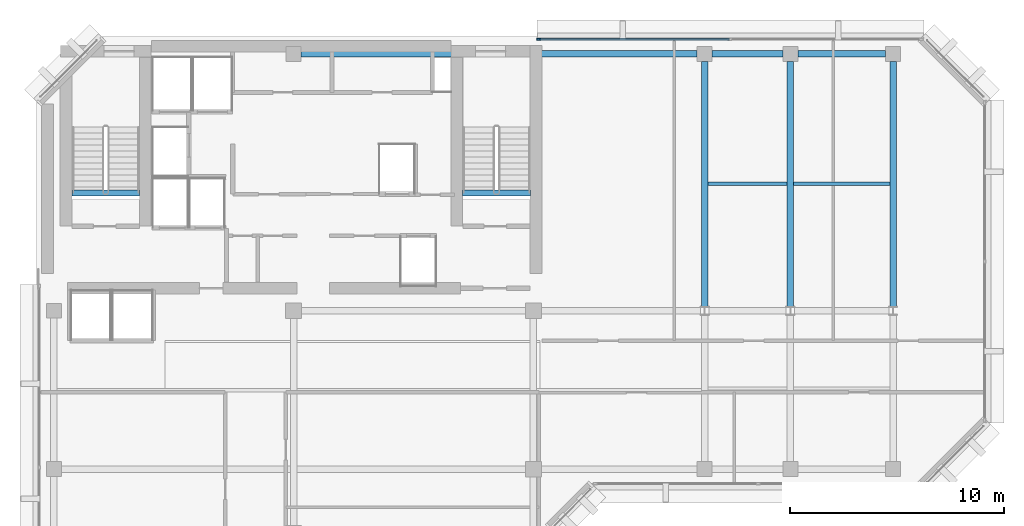
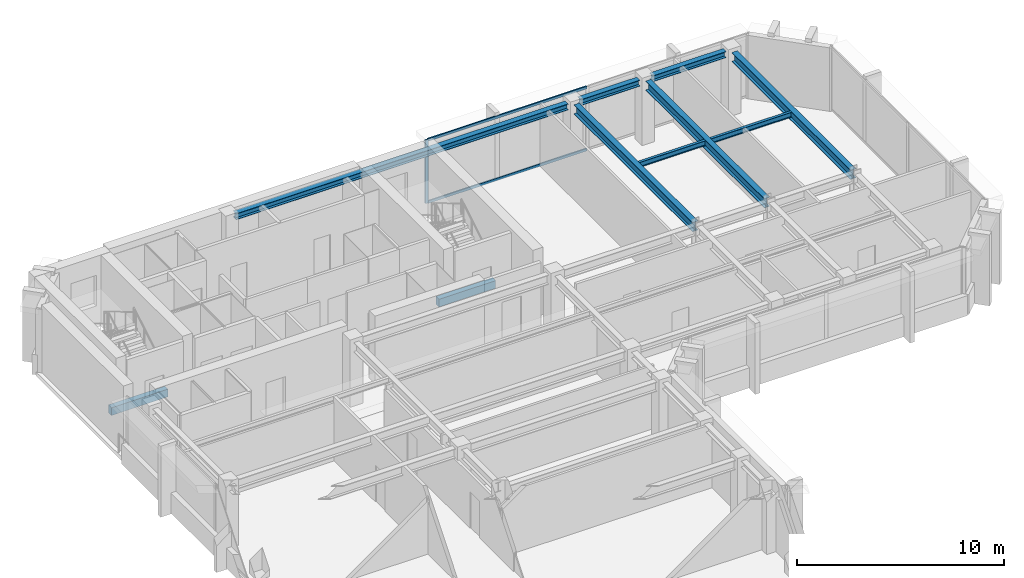
# One storey, part 4 of 11: 10 beams, 3 members, 1 element without a shape of its own.
"""IFC4 building model written with IfcOpenShell, lengths in metres."""

import ifcopenshell
import ifcopenshell.guid

model = None  # the IFC model being written
_history = None  # IfcOwnerHistory: only IFC2X3 demands one
_inside = {}  # id of a spatial element -> (the spatial element, [elements in it])
_under = {}  # id of a project, library or spatial element -> (it, [spatial elements below it])
_declared = {}  # id of a project -> (the project, [libraries it declares])
_typed = {}  # id of a type object -> (the type object, [elements of that type])
_made_of = {}  # id of a material, layer set ... -> (it, [elements and type objects made of it])


def new_model(schema):
    """Start an empty IFC model of exactly this schema.

    Asked for "IFC4X3", IfcOpenShell would pick the latest addendum, in which some entities
    have other attributes; the version numbers below select the first issue.
    IFC2X3 requires an IfcOwnerHistory on every rooted entity: one is made here for all.
    """
    global model, _history
    if schema == "IFC4X3":
        model = ifcopenshell.file(schema_version=(4, 3, 0, 0))
    else:
        model = ifcopenshell.file(schema=schema)
    _inside.clear()
    _under.clear()
    _declared.clear()
    _typed.clear()
    _made_of.clear()
    _history = None
    if model.schema == "IFC2X3":
        org = make("IfcOrganization", Name="unknown")
        user = make(
            "IfcPersonAndOrganization",
            ThePerson=make("IfcPerson", FamilyName="unknown"),
            TheOrganization=org,
        )
        app = make(
            "IfcApplication",
            ApplicationDeveloper=org,
            Version="unknown",
            ApplicationFullName="unknown",
            ApplicationIdentifier="unknown",
        )
        _history = make(
            "IfcOwnerHistory",
            OwningUser=user,
            OwningApplication=app,
            ChangeAction="ADDED",
            CreationDate=0,
        )
    return model


def make(cls, **values):
    """One entity of the class cls with the attributes given. An attribute that is None is left unset."""
    return model.create_entity(
        cls, **{name: value for name, value in values.items() if value is not None}
    )


def rooted(cls, **values):
    """An entity with a GlobalId (a new one), such as an element, a storey or a relation."""
    return make(cls, GlobalId=ifcopenshell.guid.new(), OwnerHistory=_history, **values)


def si_unit(unit_type, name, prefix=None):
    """IfcSIUnit, for example si_unit("LENGTHUNIT", "METRE", prefix="MILLI")."""
    return make("IfcSIUnit", UnitType=unit_type, Prefix=prefix, Name=name)


def assignment(units):
    """IfcUnitAssignment: the units of a project."""
    return None if units is None else make("IfcUnitAssignment", Units=units)


def point(xyz):
    """IfcCartesianPoint."""
    return None if xyz is None else make("IfcCartesianPoint", Coordinates=xyz)


def direction(xyz):
    """IfcDirection."""
    return None if xyz is None else make("IfcDirection", DirectionRatios=xyz)


def frame(location, z_axis=None, x_axis=None):
    """IfcAxis2Placement3D, a coordinate frame: its origin and axes. An axis left out is left unset."""
    return make(
        "IfcAxis2Placement3D",
        Location=point(location),
        Axis=direction(z_axis),
        RefDirection=direction(x_axis),
    )


def frame_2d(location, x_axis=None):
    """IfcAxis2Placement2D, a coordinate frame in the plane: its origin and x axis."""
    return make(
        "IfcAxis2Placement2D", Location=point(location), RefDirection=direction(x_axis)
    )


def origin():
    """The frame at (0, 0, 0) with its axes left unset."""
    return frame((0.0, 0.0, 0.0))


def origin_2d():
    """The frame at (0, 0) in the plane with its x axis left unset."""
    return frame_2d((0.0, 0.0))


def place(relative_to, where):
    """IfcLocalPlacement: puts the frame where relative to a parent placement (None: the world)."""
    return make(
        "IfcLocalPlacement", PlacementRelTo=relative_to, RelativePlacement=where
    )


def context(
    kind, dimensions, precision=None, world=None, true_north=None, identifier=None
):
    """IfcGeometricRepresentationContext, for example the 3D "Model" context."""
    return make(
        "IfcGeometricRepresentationContext",
        ContextIdentifier=identifier,
        ContextType=kind,
        CoordinateSpaceDimension=dimensions,
        Precision=precision,
        WorldCoordinateSystem=world,
        TrueNorth=true_north,
    )


def subcontext(parent, identifier, kind, view, scale=None):
    """IfcGeometricRepresentationSubContext, for example "Body" below "Model"."""
    return make(
        "IfcGeometricRepresentationSubContext",
        ContextIdentifier=identifier,
        ContextType=kind,
        ParentContext=parent,
        TargetScale=scale,
        TargetView=view,
    )


def project(units=None, contexts=None):
    """IfcProject with its units and contexts."""
    return rooted(
        "IfcProject",
        Name="project",
        RepresentationContexts=contexts,
        UnitsInContext=assignment(units),
    )


def spatial(cls, under=None, at=None, **own):
    """A site, building, storey or space (cls), placed at a placement, below another one or the project."""
    s = rooted(cls, ObjectPlacement=at, **own)
    if under is not None:
        _under.setdefault(under.id(), (under, []))[1].append(s)
    return s


def profile(cls, at=None, kind="AREA", **sizes):
    """A parametric profile (cls). Its sizes go by their IFC names, for example OverallWidth=200.0."""
    return make(cls, ProfileType=kind, Position=at, **sizes)


def rectangle(**sizes):
    """IfcRectangleProfileDef."""
    return profile("IfcRectangleProfileDef", **sizes)


def i_section(**sizes):
    """IfcIShapeProfileDef."""
    return profile("IfcIShapeProfileDef", **sizes)


def extrude(swept, where, along, depth):
    """IfcExtrudedAreaSolid: the profile swept, set in the frame where, extruded along a direction by depth."""
    return make(
        "IfcExtrudedAreaSolid",
        SweptArea=swept,
        Position=where,
        ExtrudedDirection=direction(along),
        Depth=depth,
    )


def shape(context_of_items, identifier, shape_type, items):
    """IfcShapeRepresentation: the items that make up one representation, for example the "Body"."""
    return make(
        "IfcShapeRepresentation",
        ContextOfItems=context_of_items,
        RepresentationIdentifier=identifier,
        RepresentationType=shape_type,
        Items=items,
    )


def material(Name=None, Category=None):
    """IfcMaterial."""
    return make("IfcMaterial", Name=Name, Category=Category)


def layer(
    of_material, thickness, ventilated=None, Name=None, Category=None, Priority=None
):
    """IfcMaterialLayer: one layer of a wall or slab, of a material (None: an air gap)."""
    return make(
        "IfcMaterialLayer",
        Material=of_material,
        LayerThickness=thickness,
        IsVentilated=ventilated,
        Name=Name,
        Category=Category,
        Priority=Priority,
    )


def layer_set(layers, Name=None):
    """IfcMaterialLayerSet."""
    return make("IfcMaterialLayerSet", MaterialLayers=layers, LayerSetName=Name)


def material_profile(
    of_material, cross_section, Name=None, Category=None, Priority=None
):
    """IfcMaterialProfile: a cross section and its material."""
    return make(
        "IfcMaterialProfile",
        Name=Name,
        Material=of_material,
        Profile=cross_section,
        Priority=Priority,
        Category=Category,
    )


def profile_set(profiles, Name=None, composite=None):
    """IfcMaterialProfileSet."""
    return make(
        "IfcMaterialProfileSet",
        Name=Name,
        MaterialProfiles=profiles,
        CompositeProfile=composite,
    )


def made_of(thing, what):
    """Note that an element or type object is made of a material, layer set ...; save() writes the relation."""
    if what is not None:
        _made_of.setdefault(what.id(), (what, []))[1].append(thing)
    return thing


def type_object(cls, material=None, **own):
    """A type object (cls), such as IfcWallType, which elements share."""
    return made_of(rooted(cls, **own), material)


def element(
    cls,
    number,
    at=None,
    inside=None,
    cuts=None,
    type_object=None,
    material=None,
    context=None,
    identifier="Body",
    shape_type=None,
    held_by="IfcProductDefinitionShape",
    body=None,
    shapes=None,
    **own,
):
    """One element of the class cls, such as IfcWall. Its Tag is "e" and its number.

    at: its placement. inside: the storey or other place that contains it. cuts: it is an
    opening in that element (IfcRelVoidsElement). A single representation is given by context,
    identifier, shape_type and body (its items); several are given by shapes. held_by: the class
    of the entity that holds the representations. save() writes the other relations.
    """
    e = rooted(cls, Tag="e%d" % number, ObjectPlacement=at, **own)
    if body is not None:
        shapes = [shape(context, identifier, shape_type, body)]
    if shapes is not None:
        e.Representation = make(held_by, Representations=shapes)
    if inside is not None:
        _inside.setdefault(inside.id(), (inside, []))[1].append(e)
    if cuts is not None:
        rooted(
            "IfcRelVoidsElement", RelatingBuildingElement=cuts, RelatedOpeningElement=e
        )
    if type_object is not None:
        _typed.setdefault(type_object.id(), (type_object, []))[1].append(e)
    return made_of(e, material)


def aggregate(whole, parts):
    """IfcRelAggregates: a whole, such as a stair, and the parts it consists of."""
    return rooted("IfcRelAggregates", RelatingObject=whole, RelatedObjects=parts)


def save(model, path):
    """Write the relations noted so far, then the file.

    IfcRelAggregates (storeys below a building ...), IfcRelContainedInSpatialStructure (elements
    in a storey), IfcRelDefinesByType, IfcRelAssociatesMaterial and IfcRelDeclares: one each for
    every whole, place, type object, material and project.
    """
    for whole, parts in _under.values():
        aggregate(whole, parts)
    for where, things in _inside.values():
        rooted(
            "IfcRelContainedInSpatialStructure",
            RelatedElements=things,
            RelatingStructure=where,
        )
    for kind, things in _typed.values():
        rooted("IfcRelDefinesByType", RelatedObjects=things, RelatingType=kind)
    for what, things in _made_of.values():
        rooted("IfcRelAssociatesMaterial", RelatedObjects=things, RelatingMaterial=what)
    for by, libraries in _declared.values():
        rooted("IfcRelDeclares", RelatingContext=by, RelatedDefinitions=libraries)
    model.write(path)


model = new_model("IFC4")

# Units and contexts
model_context = context("Model", 3, precision=1e-05, world=origin(), true_north=direction((0.0, 1.0)))
body_context = subcontext(model_context, "Body", "Model", "MODEL_VIEW")
ifc_project = project(units=[si_unit("LENGTHUNIT", "METRE"), si_unit("AREAUNIT", "SQUARE_METRE"), si_unit("VOLUMEUNIT", "CUBIC_METRE"), si_unit("PLANEANGLEUNIT", "RADIAN"), si_unit("MASSUNIT", "GRAM", prefix="KILO")], contexts=[model_context])

# Site, building, storey
site_placement = place(None, origin())
site = spatial("IfcSite", under=ifc_project, at=site_placement, CompositionType="ELEMENT")
building_placement = place(site_placement, origin())
building = spatial("IfcBuilding", under=site, at=building_placement, Name="Kefirva Bronze Tower", CompositionType="ELEMENT")
storey_placement = place(building_placement, frame((0.0, 0.0, 307.889892578125)))
storey = spatial("IfcBuildingStorey", under=building, at=storey_placement, Name="L75", CompositionType="ELEMENT", Elevation=307.889892578125)

# Curtain wall, members
ifc_material_1 = material(Name="Bronze anodised aluminium", Category="aluminium")
ifc_layer = layer(ifc_material_1, 0.179931640625, Name="Bronze anodised aluminium")
ifc_layer_set = layer_set([ifc_layer], Name="Bronze anodised aluminium")
curtain_wall_type = type_object("IfcCurtainWallType", Name="Unitised Bronze Ribbon Curtain Wall Zone 4", PredefinedType="USERDEFINED", material=ifc_layer_set)
curtain_wall_placement = place(storey_placement, origin())
curtain_wall = element("IfcCurtainWall", 1, at=curtain_wall_placement, inside=storey, type_object=curtain_wall_type, Name="L75 Curtain Wall 4", ObjectType="UNITISED CURTAIN WALL", PredefinedType="USERDEFINED")
ifc_material_profile_1 = material_profile(ifc_material_1, rectangle(XDim=0.074951171875, YDim=0.179931640625, at=origin_2d()), Name="ALU 75x180")
ifc_profile_set_1 = profile_set([ifc_material_profile_1], Name="Bronze anodised aluminium")
member_type_1 = type_object("IfcMemberType", Name="Bronze Mullion 75x180", PredefinedType="MULLION", material=ifc_profile_set_1)
member_1_placement = place(storey_placement, frame((23.4423828125, 45.8798828125, 0.0), z_axis=(0.0, 0.0, 1.0), x_axis=(0.0, -1.0, 0.0)))
member_1 = element("IfcMember", 2, at=member_1_placement, type_object=member_type_1, Name="CW-04 mullion 3", PredefinedType="MULLION", context=body_context, shape_type="SweptSolid", body=[
    extrude(rectangle(XDim=0.074951171875, YDim=0.179931640625, at=origin_2d()), origin(), (0.0, 0.0, 1.0), 3.739990234375),
])
ifc_material_profile_2 = material_profile(ifc_material_1, rectangle(XDim=0.074951171875, YDim=0.14990234375, at=origin_2d()), Name="ALU 75x150")
ifc_profile_set_2 = profile_set([ifc_material_profile_2], Name="Bronze anodised aluminium")
member_type_2 = type_object("IfcMemberType", Name="Bronze Transom 75x150", PredefinedType="USERDEFINED", material=ifc_profile_set_2)
member_2_placement = place(storey_placement, frame((32.33740234375, 45.8798828125, 0.03759765625), z_axis=(-1.0, 0.0, 0.0), x_axis=(0.0, -1.0, 0.0)))
member_2 = element("IfcMember", 3, at=member_2_placement, type_object=member_type_2, Name="CW-04 transom 2.1", ObjectType="TRANSOM", PredefinedType="USERDEFINED", context=body_context, shape_type="SweptSolid", body=[
    extrude(rectangle(XDim=0.074951171875, YDim=0.14990234375, at=origin_2d()), origin(), (0.0, 0.0, 1.0), 8.857421875),
])
member_3_placement = place(storey_placement, frame((32.33740234375, 45.8798828125, 3.70263671875), z_axis=(-1.0, 0.0, 0.0), x_axis=(0.0, -1.0, 0.0)))
member_3 = element("IfcMember", 4, at=member_3_placement, type_object=member_type_2, Name="CW-04 transom 2.2", ObjectType="TRANSOM", PredefinedType="USERDEFINED", context=body_context, shape_type="SweptSolid", body=[
    extrude(rectangle(XDim=0.074951171875, YDim=0.14990234375, at=origin_2d()), origin(), (0.0, 0.0, 1.0), 8.857421875),
])
aggregate(curtain_wall, [member_1, member_2, member_3])

# Beams
ifc_material_2 = material(Name="Concrete C50/60", Category="concrete")
ifc_material_profile_3 = material_profile(ifc_material_2, rectangle(XDim=0.300048828125, YDim=0.449951171875, at=origin_2d()), Name="RC 300x450")
ifc_profile_set_3 = profile_set([ifc_material_profile_3], Name="Concrete C50/60")
beam_type_1 = type_object("IfcBeamType", Name="RC Stair Trimmer Beam 300x450", PredefinedType="BEAM", material=ifc_profile_set_3)
beam_1_placement = place(storey_placement, frame((1.64501953125, 38.699951171875, -0.224853515625), z_axis=(1.0, 0.0, 0.0), x_axis=(0.0, 1.0, 0.0)))
element("IfcBeam", 5, at=beam_1_placement, inside=storey, type_object=beam_type_1, Name="L75 Stair 1 Landing Trimmer Beam", PredefinedType="BEAM", context=body_context, shape_type="SweptSolid", body=[
    extrude(rectangle(XDim=0.300048828125, YDim=0.449951171875, at=origin_2d()), origin(), (0.0, 0.0, 1.0), 3.14990234375),
])
beam_2_placement = place(storey_placement, frame((19.89501953125, 38.699951171875, -0.224853515625), z_axis=(1.0, 0.0, 0.0), x_axis=(0.0, 1.0, 0.0)))
element("IfcBeam", 6, at=beam_2_placement, inside=storey, type_object=beam_type_1, Name="L75 Stair 2 Landing Trimmer Beam", PredefinedType="BEAM", context=body_context, shape_type="SweptSolid", body=[
    extrude(rectangle(XDim=0.300048828125, YDim=0.449951171875, at=origin_2d()), origin(), (0.0, 0.0, 1.0), 3.159912109375),
])
ifc_material_3 = material(Name="Steel S355", Category="steel")
ifc_material_profile_4 = material_profile(ifc_material_3, i_section(OverallWidth=0.14990234375, OverallDepth=0.300048828125, WebThickness=0.007080078125, FlangeThickness=0.0107421875, at=origin_2d()), Name="IPE 300")
ifc_profile_set_4 = profile_set([ifc_material_profile_4], Name="Steel S355")
beam_type_2 = type_object("IfcBeamType", Name="Steel Floor Joist IPE 300", PredefinedType="JOIST", material=ifc_profile_set_4)
beam_3_placement = place(storey_placement, frame((31.35009765625, 39.12890625, 3.590087890625), z_axis=(1.0, 0.0, 0.0), x_axis=(0.0, 1.0, 0.0)))
element("IfcBeam", 7, at=beam_3_placement, inside=storey, type_object=beam_type_2, Name="L75 JST-L75-31-391", PredefinedType="JOIST", context=body_context, shape_type="SweptSolid", body=[
    extrude(i_section(OverallWidth=0.14990234375, OverallDepth=0.300048828125, WebThickness=0.007080078125, FlangeThickness=0.0107421875, at=origin_2d()), origin(), (0.0, 0.0, 1.0), 3.699951171875),
])
beam_4_placement = place(storey_placement, frame((35.35009765625, 39.12890625, 3.590087890625), z_axis=(1.0, 0.0, 0.0), x_axis=(0.0, 1.0, 0.0)))
element("IfcBeam", 8, at=beam_4_placement, inside=storey, type_object=beam_type_2, Name="L75 JST-L75-35-391", PredefinedType="JOIST", context=body_context, shape_type="SweptSolid", body=[
    extrude(i_section(OverallWidth=0.14990234375, OverallDepth=0.300048828125, WebThickness=0.007080078125, FlangeThickness=0.0107421875, at=origin_2d()), origin(), (0.0, 0.0, 1.0), 4.5),
])
ifc_material_profile_5 = material_profile(ifc_material_3, i_section(OverallWidth=0.300048828125, OverallDepth=0.550048828125, WebThickness=0.014892578125, FlangeThickness=0.029052734375, at=origin_2d()), Name="HEB 550")
ifc_profile_set_5 = profile_set([ifc_material_profile_5], Name="Steel S355")
beam_type_3 = type_object("IfcBeamType", Name="Steel Girder HEB 550", PredefinedType="USERDEFINED", material=ifc_profile_set_5)
for number, where, z_axis, x_axis, name in (
    (9, (31.199951171875, 33.407958984375, 3.465087890625), (0.0, 1.0, 0.0), (-1.0, 0.0, 0.0), "L75 BM-L75-NS-312-33"),
    (10, (35.199951171875, 33.407958984375, 3.465087890625), (0.0, 1.0, 0.0), (-1.0, 0.0, 0.0), "L75 BM-L75-NS-352-33"),
    (11, (40.0, 33.407958984375, 3.465087890625), (0.0, 1.0, 0.0), (-1.0, 0.0, 0.0), "L75 BM-L75-NS-400-33"),
):
    element("IfcBeam", number, at=place(storey_placement, frame(where, z_axis=z_axis, x_axis=x_axis)), inside=storey, type_object=beam_type_3, Name=name, ObjectType="GIRDER", PredefinedType="USERDEFINED", context=body_context, shape_type="SweptSolid", body=[
        extrude(i_section(OverallWidth=0.300048828125, OverallDepth=0.550048828125, WebThickness=0.014892578125, FlangeThickness=0.029052734375, at=origin_2d()), origin(), (0.0, 0.0, 1.0), 11.442138671875),
    ])
ifc_material_profile_6 = material_profile(ifc_material_3, i_section(OverallWidth=0.300048828125, OverallDepth=0.360107421875, WebThickness=0.012451171875, FlangeThickness=0.0224609375, at=origin_2d()), Name="HEB 360")
ifc_profile_set_6 = profile_set([ifc_material_profile_6], Name="Steel S355")
beam_type_4 = type_object("IfcBeamType", Name="Steel Spandrel HEB 360 Ext", PredefinedType="SPANDREL", material=ifc_profile_set_6)
beam_5_placement = place(storey_placement, frame((12.35009765625, 45.199951171875, 3.56005859375), z_axis=(1.0, 0.0, 0.0), x_axis=(0.0, 1.0, 0.0)))
element("IfcBeam", 12, at=beam_5_placement, inside=storey, type_object=beam_type_4, Name="L75 BM-L75-EW-12-452", PredefinedType="SPANDREL", context=body_context, shape_type="SweptSolid", body=[
    extrude(i_section(OverallWidth=0.300048828125, OverallDepth=0.360107421875, WebThickness=0.012451171875, FlangeThickness=0.0224609375, at=origin_2d()), origin(), (0.0, 0.0, 1.0), 18.5),
])
beam_6_placement = place(storey_placement, frame((31.550048828125, 45.199951171875, 3.56005859375), z_axis=(1.0, 0.0, 0.0), x_axis=(0.0, 1.0, 0.0)))
element("IfcBeam", 13, at=beam_6_placement, inside=storey, type_object=beam_type_4, Name="L75 BM-L75-EW-31-452", PredefinedType="SPANDREL", context=body_context, shape_type="SweptSolid", body=[
    extrude(i_section(OverallWidth=0.300048828125, OverallDepth=0.360107421875, WebThickness=0.012451171875, FlangeThickness=0.0224609375, at=origin_2d()), origin(), (0.0, 0.0, 1.0), 3.300048828125),
])
beam_7_placement = place(storey_placement, frame((35.550048828125, 45.199951171875, 3.56005859375), z_axis=(1.0, 0.0, 0.0), x_axis=(0.0, 1.0, 0.0)))
element("IfcBeam", 14, at=beam_7_placement, inside=storey, type_object=beam_type_4, Name="L75 BM-L75-EW-35-452", PredefinedType="SPANDREL", context=body_context, shape_type="SweptSolid", body=[
    extrude(i_section(OverallWidth=0.300048828125, OverallDepth=0.360107421875, WebThickness=0.012451171875, FlangeThickness=0.0224609375, at=origin_2d()), origin(), (0.0, 0.0, 1.0), 4.099853515625),
])

save(model, "model.ifc")
